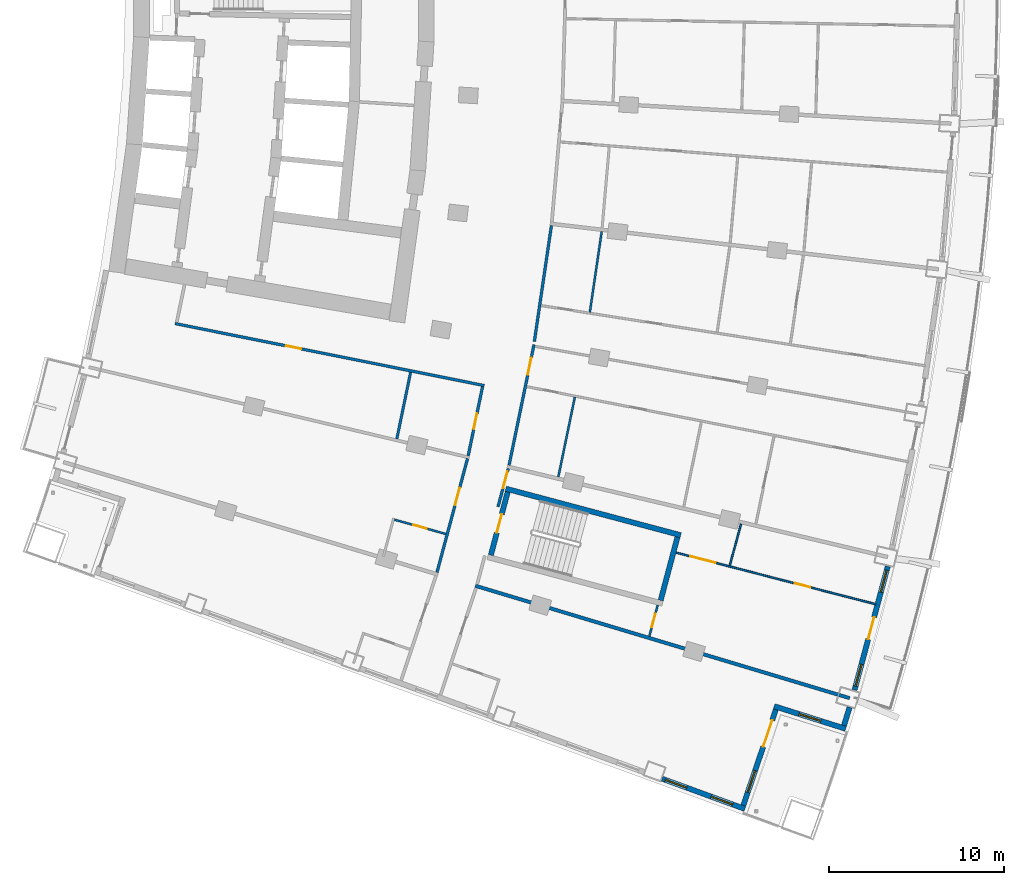
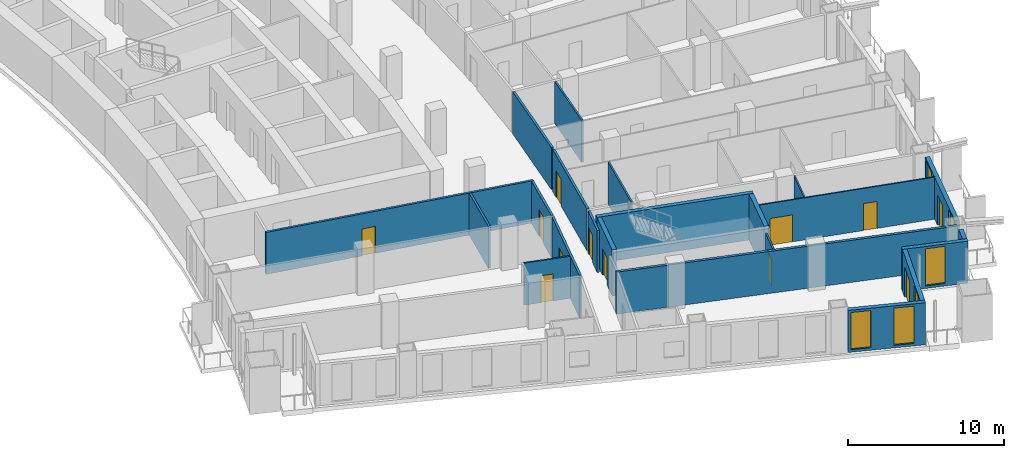
# One storey, part 14 of 25: 22 walls, 12 doors, 6 windows, 18 openings.
"""IFC4 building model written with IfcOpenShell, lengths in metres."""

from ifc_helpers import new_model, si_unit, direction, frame, frame_2d, origin, place, context, subcontext, project, spatial, rectangle, extrude, material, layer, layer_set, type_object, element, fill, save


model = new_model("IFC4")

# Units and contexts
model_context = context("Model", 3, precision=1e-05, world=origin(), true_north=direction((0.0, 1.0)))
body_context = subcontext(model_context, "Body", "Model", "MODEL_VIEW")
ifc_project = project(units=[si_unit("LENGTHUNIT", "METRE"), si_unit("AREAUNIT", "SQUARE_METRE"), si_unit("VOLUMEUNIT", "CUBIC_METRE"), si_unit("PLANEANGLEUNIT", "RADIAN"), si_unit("MASSUNIT", "GRAM", prefix="KILO")], contexts=[model_context])

# Site, building, storey
site_placement = place(None, origin())
site = spatial("IfcSite", under=ifc_project, at=site_placement, CompositionType="ELEMENT")
building_placement = place(site_placement, origin())
building = spatial("IfcBuilding", under=site, at=building_placement, Name="Alderwake Tower", CompositionType="ELEMENT")
storey_placement = place(building_placement, frame((0.0, 0.0, 35.60009765625)))
storey = spatial("IfcBuildingStorey", under=building, at=storey_placement, Name="L07", CompositionType="ELEMENT", Elevation=35.60009765625)

# Wall
ifc_material_1 = material(Name="Concrete C70/85", Category="concrete")
ifc_layer_1 = layer(ifc_material_1, 0.300048828125)
ifc_layer_set_1 = layer_set([ifc_layer_1], Name="Core wall stair enclosure 300 C70-85")
wall_type_1 = type_object("IfcWallType", Name="Core wall stair enclosure 300 C70-85", PredefinedType="SHEAR", material=ifc_layer_set_1)
wall_1_placement = place(storey_placement, frame((37.75390625, 31.731201171875, 0.0), z_axis=(0.0, 0.0, 1.0), x_axis=(0.966309214305, -0.257383958996, 0.0)))
element("IfcWall", 1, at=wall_1_placement, inside=storey, type_object=wall_type_1, Name="Core wall CW.086", PredefinedType="SHEAR", context=body_context, shape_type="SweptSolid", body=[
    extrude(rectangle(XDim=10.360107421875, YDim=0.300048828125, at=frame_2d((5.18017578125, 0.0))), origin(), (0.0, 0.0, 1.0), 3.599853515625),
])

# Wall, opening, door
wall_2_placement = place(storey_placement, frame((36.89501953125, 27.923828125, 0.0), z_axis=(0.0, 0.0, 1.0), x_axis=(0.257350630826, 0.966318090907, 0.0)))
wall_2 = element("IfcWall", 2, at=wall_2_placement, inside=storey, type_object=wall_type_1, Name="Core wall CW.087", PredefinedType="SHEAR", context=body_context, shape_type="SweptSolid", body=[
    extrude(rectangle(XDim=3.75, YDim=0.300048828125, at=frame_2d((1.875, 0.0))), origin(), (0.0, 0.0, 1.0), 3.599853515625),
])
opening_1_placement = place(wall_2_placement, frame((1.324951171875, 0.0, 0.0)))
opening_1 = element("IfcOpeningElement", 3, at=opening_1_placement, cuts=wall_2, Name="Opening C065", PredefinedType="OPENING", context=body_context, shape_type="SweptSolid", body=[
    extrude(rectangle(XDim=1.10009765625, YDim=2.10009765625, at=frame_2d((0.550048828125, 1.050048828125))), frame((0.0, 0.159912109375, 0.0), z_axis=(0.0, -1.0, 0.0), x_axis=(1.0, 0.0, 0.0)), (0.0, 0.0, 1.0), 0.320068359375),
])
ifc_material_2 = material(Name="Steel-framed fire door leaf", Category="steel")
door_type_1 = type_object("IfcDoorType", Name="Core stair door 1100 fire-rated", OperationType="SINGLE_SWING_LEFT", PredefinedType="DOOR", material=ifc_material_2)
door_1_placement = place(opening_1_placement, origin())
door_1 = element("IfcDoor", 4, at=door_1_placement, inside=storey, type_object=door_type_1, Name="Stair door", OperationType="SINGLE_SWING_LEFT", OverallHeight=2.10009765625, OverallWidth=1.10009765625, PredefinedType="DOOR", context=body_context, shape_type="SweptSolid", body=[
    extrude(rectangle(XDim=1.10009765625, YDim=2.10009765625, at=frame_2d((0.550048828125, 1.050048828125))), frame((0.0, 0.02490234375, 0.0), z_axis=(0.0, -1.0, 0.0), x_axis=(1.0, 0.0, 0.0)), (0.0, 0.0, 1.0), 0.050048828125),
])
fill(opening_1, door_1)

# Wall
wall_3_placement = place(storey_placement, frame((46.6162109375, 25.334716796875, 0.0), z_axis=(0.0, 0.0, 1.0), x_axis=(0.257366821694, 0.966313778796, 0.0)))
element("IfcWall", 5, at=wall_3_placement, inside=storey, type_object=wall_type_1, Name="Core wall CW.085", PredefinedType="SHEAR", context=body_context, shape_type="SweptSolid", body=[
    extrude(rectangle(XDim=3.749755859375, YDim=0.300048828125, at=frame_2d((1.875, 0.0))), origin(), (0.0, 0.0, 1.0), 3.599853515625),
])

# Wall, opening, door
ifc_material_3 = material(Name="Gypsum board on metal studs, rated")
ifc_layer_2 = layer(ifc_material_3, 0.159912109375)
ifc_layer_set_2 = layer_set([ifc_layer_2], Name="Corridor wall 160")
wall_type_2 = type_object("IfcWallType", Name="Corridor wall 160", PredefinedType="PARTITIONING", material=ifc_layer_set_2)
wall_4_placement = place(storey_placement, frame((36.513427734375, 37.63427734375, 0.0), z_axis=(0.0, 0.0, 1.0), x_axis=(-0.980470254867, 0.1966674333, 0.0)))
wall_4 = element("IfcWall", 6, at=wall_4_placement, inside=storey, type_object=wall_type_2, Name="WL/L07/W17", PredefinedType="PARTITIONING", context=body_context, shape_type="SweptSolid", body=[
    extrude(rectangle(XDim=18.053466796875, YDim=0.159912109375, at=frame_2d((9.02685546875, 0.0))), origin(), (0.0, 0.0, 1.0), 3.27978515625),
])
opening_2_placement = place(wall_4_placement, frame((10.6767578125, 0.0, 0.0)))
opening_2 = element("IfcOpeningElement", 7, at=opening_2_placement, cuts=wall_4, Name="Opening R01-SBS1", PredefinedType="OPENING", context=body_context, shape_type="SweptSolid", body=[
    extrude(rectangle(XDim=0.89990234375, YDim=2.10009765625, at=frame_2d((0.449951171875, 1.050048828125))), frame((0.0, 0.08984375, 0.0), z_axis=(0.0, -1.0, 0.0), x_axis=(1.0, 0.0, 0.0)), (0.0, 0.0, 1.0), 0.179931640625),
])
ifc_material_4 = material(Name="Painted timber leaf", Category="wood")
door_type_2 = type_object("IfcDoorType", Name="Room door 900", OperationType="SINGLE_SWING_LEFT", PredefinedType="DOOR", material=ifc_material_4)
door_2_placement = place(opening_2_placement, origin())
door_2 = element("IfcDoor", 8, at=door_2_placement, inside=storey, type_object=door_type_2, Name="DR/L07/SBS1", OperationType="SINGLE_SWING_LEFT", OverallHeight=2.10009765625, OverallWidth=0.89990234375, PredefinedType="DOOR", context=body_context, shape_type="SweptSolid", body=[
    extrude(rectangle(XDim=0.89990234375, YDim=2.10009765625, at=frame_2d((0.449951171875, 1.050048828125))), frame((0.0, 0.02490234375, 0.0), z_axis=(0.0, -1.0, 0.0), x_axis=(1.0, 0.0, 0.0)), (0.0, 0.0, 1.0), 0.050048828125),
])
fill(opening_2, door_2)

wall_5_placement = place(storey_placement, frame((33.808837890625, 26.9345703125, 0.0), z_axis=(0.0, 0.0, 1.0), x_axis=(0.259298911818, 0.965797118618, 0.0)))
wall_5 = element("IfcWall", 9, at=wall_5_placement, inside=storey, type_object=wall_type_2, Name="WL/L07/W24", PredefinedType="PARTITIONING", context=body_context, shape_type="SweptSolid", body=[
    extrude(rectangle(XDim=6.75, YDim=0.159912109375, at=frame_2d((3.375, 0.0))), origin(), (0.0, 0.0, 1.0), 3.27978515625),
])
opening_3_placement = place(wall_5_placement, frame((4.00341796875, 0.0, 0.0)))
opening_3 = element("IfcOpeningElement", 10, at=opening_3_placement, cuts=wall_5, Name="Opening R01-U11.1", PredefinedType="OPENING", context=body_context, shape_type="SweptSolid", body=[
    extrude(rectangle(XDim=1.0, YDim=2.10009765625, at=frame_2d((0.5, 1.050048828125))), frame((0.0, 0.08984375, 0.0), z_axis=(0.0, -1.0, 0.0), x_axis=(1.0, 0.0, 0.0)), (0.0, 0.0, 1.0), 0.179931640625),
])
ifc_material_5 = material(Name="Solid timber leaf in steel frame", Category="steel")
door_type_3 = type_object("IfcDoorType", Name="Flat entrance door 1000 fire-rated", OperationType="SINGLE_SWING_LEFT", PredefinedType="DOOR", material=ifc_material_5)
door_3_placement = place(opening_3_placement, origin())
door_3 = element("IfcDoor", 11, at=door_3_placement, inside=storey, type_object=door_type_3, Name="DR/L07/U11.1", OperationType="SINGLE_SWING_LEFT", OverallHeight=2.10009765625, OverallWidth=1.0, PredefinedType="DOOR", context=body_context, shape_type="SweptSolid", body=[
    extrude(rectangle(XDim=1.0, YDim=2.10009765625, at=frame_2d((0.5, 1.050048828125))), frame((0.0, 0.02490234375, 0.0), z_axis=(0.0, -1.0, 0.0), x_axis=(1.0, 0.0, 0.0)), (0.0, 0.0, 1.0), 0.050048828125),
])
fill(opening_3, door_3)

wall_6_placement = place(storey_placement, frame((35.59619140625, 33.609375, 0.0), z_axis=(0.0, 0.0, 1.0), x_axis=(0.203245920818, 0.979127721838, 0.0)))
wall_6 = element("IfcWall", 12, at=wall_6_placement, inside=storey, type_object=wall_type_2, Name="WL/L07/W29", PredefinedType="PARTITIONING", context=body_context, shape_type="SweptSolid", body=[
    extrude(rectangle(XDim=4.046875, YDim=0.159912109375, at=frame_2d((2.0234375, 0.0))), origin(), (0.0, 0.0, 1.0), 3.27978515625),
])
opening_4_placement = place(wall_6_placement, frame((1.573486328125, 0.0, 0.0)))
opening_4 = element("IfcOpeningElement", 13, at=opening_4_placement, cuts=wall_6, Name="Opening R01-SBS2", PredefinedType="OPENING", context=body_context, shape_type="SweptSolid", body=[
    extrude(rectangle(XDim=0.89990234375, YDim=2.10009765625, at=frame_2d((0.449951171875, 1.050048828125))), frame((0.0, 0.08984375, 0.0), z_axis=(0.0, -1.0, 0.0), x_axis=(1.0, 0.0, 0.0)), (0.0, 0.0, 1.0), 0.179931640625),
])
door_4_placement = place(opening_4_placement, origin())
door_4 = element("IfcDoor", 14, at=door_4_placement, inside=storey, type_object=door_type_2, Name="DR/L07/SBS2", OperationType="SINGLE_SWING_LEFT", OverallHeight=2.10009765625, OverallWidth=0.89990234375, PredefinedType="DOOR", context=body_context, shape_type="SweptSolid", body=[
    extrude(rectangle(XDim=0.89990234375, YDim=2.10009765625, at=frame_2d((0.449951171875, 1.050048828125))), frame((0.0, 0.02490234375, 0.0), z_axis=(0.0, -1.0, 0.0), x_axis=(1.0, 0.0, 0.0)), (0.0, 0.0, 1.0), 0.050048828125),
])
fill(opening_4, door_4)

wall_7_placement = place(storey_placement, frame((37.89111328125, 32.87939453125, 0.0), z_axis=(0.0, 0.0, 1.0), x_axis=(-0.259620578816, -0.965710699462, 0.0)))
wall_7 = element("IfcWall", 15, at=wall_7_placement, inside=storey, type_object=wall_type_2, Name="WL/L07/W32", PredefinedType="PARTITIONING", context=body_context, shape_type="SweptSolid", body=[
    extrude(rectangle(XDim=2.2578125, YDim=0.159912109375, at=frame_2d((1.12890625, 0.0))), origin(), (0.0, 0.0, 1.0), 3.27978515625),
])
opening_5_placement = place(wall_7_placement, frame((0.1708984375, 0.0, 0.0)))
opening_5 = element("IfcOpeningElement", 16, at=opening_5_placement, cuts=wall_7, Name="Opening R01-U01.1", PredefinedType="OPENING", context=body_context, shape_type="SweptSolid", body=[
    extrude(rectangle(XDim=1.0, YDim=2.10009765625, at=frame_2d((0.5, 1.050048828125))), frame((0.0, 0.08984375, 0.0), z_axis=(0.0, -1.0, 0.0), x_axis=(1.0, 0.0, 0.0)), (0.0, 0.0, 1.0), 0.179931640625),
])
door_5_placement = place(opening_5_placement, origin())
door_5 = element("IfcDoor", 17, at=door_5_placement, inside=storey, type_object=door_type_3, Name="DR/L07/U01.1", OperationType="SINGLE_SWING_LEFT", OverallHeight=2.10009765625, OverallWidth=1.0, PredefinedType="DOOR", context=body_context, shape_type="SweptSolid", body=[
    extrude(rectangle(XDim=1.0, YDim=2.10009765625, at=frame_2d((0.5, 1.050048828125))), frame((0.0, 0.02490234375, 0.0), z_axis=(0.0, -1.0, 0.0), x_axis=(1.0, 0.0, 0.0)), (0.0, 0.0, 1.0), 0.050048828125),
])
fill(opening_5, door_5)

wall_8_placement = place(storey_placement, frame((39.3642578125, 39.975341796875, 0.0), z_axis=(0.0, 0.0, 1.0), x_axis=(-0.202487611378, -0.979284824368, 0.0)))
wall_8 = element("IfcWall", 18, at=wall_8_placement, inside=storey, type_object=wall_type_2, Name="WL/L07/W33", PredefinedType="PARTITIONING", context=body_context, shape_type="SweptSolid", body=[
    extrude(rectangle(XDim=7.04736328125, YDim=0.159912109375, at=frame_2d((3.523681640625, 0.0))), origin(), (0.0, 0.0, 1.0), 3.27978515625),
])
opening_6_placement = place(wall_8_placement, frame((0.7568359375, 0.0, 0.0)))
opening_6 = element("IfcOpeningElement", 19, at=opening_6_placement, cuts=wall_8, Name="Opening R01-U05.3", PredefinedType="OPENING", context=body_context, shape_type="SweptSolid", body=[
    extrude(rectangle(XDim=1.0, YDim=2.10009765625, at=frame_2d((0.5, 1.050048828125))), frame((0.0, 0.08984375, 0.0), z_axis=(0.0, -1.0, 0.0), x_axis=(1.0, 0.0, 0.0)), (0.0, 0.0, 1.0), 0.179931640625),
])
door_6_placement = place(opening_6_placement, origin())
door_6 = element("IfcDoor", 20, at=door_6_placement, inside=storey, type_object=door_type_3, Name="DR/L07/U05.3", OperationType="SINGLE_SWING_LEFT", OverallHeight=2.10009765625, OverallWidth=1.0, PredefinedType="DOOR", context=body_context, shape_type="SweptSolid", body=[
    extrude(rectangle(XDim=1.0, YDim=2.10009765625, at=frame_2d((0.5, 1.050048828125))), frame((0.0, 0.02490234375, 0.0), z_axis=(0.0, -1.0, 0.0), x_axis=(1.0, 0.0, 0.0)), (0.0, 0.0, 1.0), 0.050048828125),
])
fill(opening_6, door_6)

# Walls
wall_9_placement = place(storey_placement, frame((39.38671875, 40.160888671875, 0.0), z_axis=(0.0, 0.0, 1.0), x_axis=(0.145513909196, 0.989356205939, 0.0)))
element("IfcWall", 21, at=wall_9_placement, inside=storey, type_object=wall_type_2, Name="WL/L07/W36", PredefinedType="PARTITIONING", context=body_context, shape_type="SweptSolid", body=[
    extrude(rectangle(XDim=6.704345703125, YDim=0.159912109375, at=frame_2d((3.35205078125, 0.0))), origin(), (0.0, 0.0, 1.0), 3.27978515625),
])
ifc_material_6 = material(Name="Precast concrete C50/60 spandrel panel", Category="concrete")
ifc_layer_3 = layer(ifc_material_6, 0.300048828125)
ifc_layer_set_3 = layer_set([ifc_layer_3], Name="External wall EW1 Precast concrete C50/60 spandrel")
wall_type_3 = type_object("IfcWallType", Name="External wall EW1 Precast concrete C50/60 spandrel", PredefinedType="SOLIDWALL", material=ifc_layer_set_3)
wall_10_placement = place(storey_placement, frame((57.11328125, 18.16943359375, 0.0), z_axis=(0.0, 0.0, 1.0), x_axis=(0.294684640149, 0.955594559874, 0.0)))
element("IfcWall", 22, at=wall_10_placement, inside=storey, type_object=wall_type_3, Name="External wall 11", PredefinedType="SOLIDWALL", context=body_context, shape_type="SweptSolid", body=[
    extrude(rectangle(XDim=1.088623046875, YDim=0.300048828125, at=frame_2d((0.54443359375, 0.0))), origin(), (0.0, 0.0, 1.0), 3.27978515625),
])

# Wall, openings, door, windows
wall_11_placement = place(storey_placement, frame((57.71923828125, 20.2001953125, 0.0), z_axis=(0.0, 0.0, 1.0), x_axis=(0.259490825488, 0.965745572854, 0.0)))
wall_11 = element("IfcWall", 23, at=wall_11_placement, inside=storey, type_object=wall_type_3, Name="External wall 12", PredefinedType="SOLIDWALL", context=body_context, shape_type="SweptSolid", body=[
    extrude(rectangle(XDim=7.3291015625, YDim=0.300048828125, at=frame_2d((3.66455078125, 0.0))), origin(), (0.0, 0.0, 1.0), 3.27978515625),
])
opening_7_placement = place(wall_11_placement, frame((0.226806640625, 0.0, 0.199951171875)))
opening_7 = element("IfcOpeningElement", 24, at=opening_7_placement, cuts=wall_11, Name="Opening W1", PredefinedType="OPENING", context=body_context, shape_type="SweptSolid", body=[
    extrude(rectangle(XDim=1.300048828125, YDim=2.89990234375, at=frame_2d((0.64990234375, 1.449951171875))), frame((0.0, 0.159912109375, 0.0), z_axis=(0.0, -1.0, 0.0), x_axis=(1.0, 0.0, 0.0)), (0.0, 0.0, 1.0), 0.320068359375),
])
opening_8_placement = place(wall_11_placement, frame((3.0146484375, 0.0, 0.0)))
opening_8 = element("IfcOpeningElement", 25, at=opening_8_placement, cuts=wall_11, Name="Opening D03", PredefinedType="OPENING", context=body_context, shape_type="SweptSolid", body=[
    extrude(rectangle(XDim=1.300048828125, YDim=2.39990234375, at=frame_2d((0.64990234375, 1.199951171875))), frame((0.0, 0.159912109375, 0.0), z_axis=(0.0, -1.0, 0.0), x_axis=(1.0, 0.0, 0.0)), (0.0, 0.0, 1.0), 0.320068359375),
])
opening_9_placement = place(wall_11_placement, frame((5.802490234375, 0.0, 0.199951171875)))
opening_9 = element("IfcOpeningElement", 26, at=opening_9_placement, cuts=wall_11, Name="Opening W1", PredefinedType="OPENING", context=body_context, shape_type="SweptSolid", body=[
    extrude(rectangle(XDim=1.300048828125, YDim=2.89990234375, at=frame_2d((0.64990234375, 1.449951171875))), frame((0.0, 0.159912109375, 0.0), z_axis=(0.0, -1.0, 0.0), x_axis=(1.0, 0.0, 0.0)), (0.0, 0.0, 1.0), 0.320068359375),
])
ifc_material_7 = material(Name="Bronze tinted glass in aluminium frame", Category="aluminium")
door_type_4 = type_object("IfcDoorType", Name="Balcony door BD sliding", OperationType="SLIDING_TO_LEFT", PredefinedType="DOOR", material=ifc_material_7)
door_7_placement = place(opening_8_placement, origin())
door_7 = element("IfcDoor", 27, at=door_7_placement, inside=storey, type_object=door_type_4, Name="Door D03", OperationType="SLIDING_TO_LEFT", OverallHeight=2.39990234375, OverallWidth=1.300048828125, PredefinedType="DOOR", context=body_context, shape_type="SweptSolid", body=[
    extrude(rectangle(XDim=1.300048828125, YDim=2.39990234375, at=frame_2d((0.64990234375, 1.199951171875))), frame((0.0, 0.02490234375, 0.0), z_axis=(0.0, -1.0, 0.0), x_axis=(1.0, 0.0, 0.0)), (0.0, 0.0, 1.0), 0.050048828125),
])
fill(opening_8, door_7)
ifc_material_8 = material(Name="Bronze tinted glass in aluminium frame", Category="aluminium")
window_type = type_object("IfcWindowType", Name="Window W1 tall fixed and vent", PartitioningType="DOUBLE_PANEL_VERTICAL", PredefinedType="WINDOW", material=ifc_material_8)
window_1_placement = place(opening_7_placement, origin())
window_1 = element("IfcWindow", 28, at=window_1_placement, inside=storey, type_object=window_type, Name="Window W1 tall fixed and vent", OverallHeight=2.89990234375, OverallWidth=1.300048828125, PartitioningType="DOUBLE_PANEL_VERTICAL", PredefinedType="WINDOW", context=body_context, shape_type="SweptSolid", body=[
    extrude(rectangle(XDim=1.300048828125, YDim=2.89990234375, at=frame_2d((0.64990234375, 1.449951171875))), frame((0.0, 0.030029296875, 0.0), z_axis=(0.0, -1.0, 0.0), x_axis=(1.0, 0.0, 0.0)), (0.0, 0.0, 1.0), 0.06005859375),
])
fill(opening_7, window_1)
window_2_placement = place(opening_9_placement, origin())
window_2 = element("IfcWindow", 29, at=window_2_placement, inside=storey, type_object=window_type, Name="Window W1 tall fixed and vent", OverallHeight=2.89990234375, OverallWidth=1.300048828125, PartitioningType="DOUBLE_PANEL_VERTICAL", PredefinedType="WINDOW", context=body_context, shape_type="SweptSolid", body=[
    extrude(rectangle(XDim=1.300048828125, YDim=2.89990234375, at=frame_2d((0.64990234375, 1.449951171875))), frame((0.0, 0.030029296875, 0.0), z_axis=(0.0, -1.0, 0.0), x_axis=(1.0, 0.0, 0.0)), (0.0, 0.0, 1.0), 0.06005859375),
])
fill(opening_9, window_2)

# Wall, openings, windows
ifc_material_9 = material(Name="Bronze metal cladding on lightweight framing")
ifc_layer_4 = layer(ifc_material_9, 0.300048828125)
ifc_layer_set_4 = layer_set([ifc_layer_4], Name="External wall EW2 bronze metal cladding")
wall_type_4 = type_object("IfcWallType", Name="External wall EW2 bronze metal cladding", PredefinedType="SOLIDWALL", material=ifc_layer_set_4)
wall_12_placement = place(storey_placement, frame((46.701171875, 15.123046875, 0.0), z_axis=(0.0, 0.0, 1.0), x_axis=(0.939373152763, -0.342896602299, 0.0)))
wall_12 = element("IfcWall", 30, at=wall_12_placement, inside=storey, type_object=wall_type_4, Name="External wall 8", PredefinedType="SOLIDWALL", context=body_context, shape_type="SweptSolid", body=[
    extrude(rectangle(XDim=5.0458984375, YDim=0.300048828125, at=frame_2d((2.52294921875, 0.0))), origin(), (0.0, 0.0, 1.0), 3.27978515625),
])
opening_10_placement = place(wall_12_placement, frame((0.197509765625, 0.0, 0.199951171875)))
opening_10 = element("IfcOpeningElement", 31, at=opening_10_placement, cuts=wall_12, Name="Opening W1", PredefinedType="OPENING", context=body_context, shape_type="SweptSolid", body=[
    extrude(rectangle(XDim=1.300048828125, YDim=2.89990234375, at=frame_2d((0.64990234375, 1.449951171875))), frame((0.0, 0.159912109375, 0.0), z_axis=(0.0, -1.0, 0.0), x_axis=(1.0, 0.0, 0.0)), (0.0, 0.0, 1.0), 0.320068359375),
])
opening_11_placement = place(wall_12_placement, frame((2.99658203125, 0.0, 0.199951171875)))
opening_11 = element("IfcOpeningElement", 32, at=opening_11_placement, cuts=wall_12, Name="Opening W1", PredefinedType="OPENING", context=body_context, shape_type="SweptSolid", body=[
    extrude(rectangle(XDim=1.300048828125, YDim=2.89990234375, at=frame_2d((0.64990234375, 1.449951171875))), frame((0.0, 0.159912109375, 0.0), z_axis=(0.0, -1.0, 0.0), x_axis=(1.0, 0.0, 0.0)), (0.0, 0.0, 1.0), 0.320068359375),
])
window_3_placement = place(opening_10_placement, origin())
window_3 = element("IfcWindow", 33, at=window_3_placement, inside=storey, type_object=window_type, Name="Window W1 tall fixed and vent", OverallHeight=2.89990234375, OverallWidth=1.300048828125, PartitioningType="DOUBLE_PANEL_VERTICAL", PredefinedType="WINDOW", context=body_context, shape_type="SweptSolid", body=[
    extrude(rectangle(XDim=1.300048828125, YDim=2.89990234375, at=frame_2d((0.64990234375, 1.449951171875))), frame((0.0, 0.030029296875, 0.0), z_axis=(0.0, -1.0, 0.0), x_axis=(1.0, 0.0, 0.0)), (0.0, 0.0, 1.0), 0.06005859375),
])
fill(opening_10, window_3)
window_4_placement = place(opening_11_placement, origin())
window_4 = element("IfcWindow", 34, at=window_4_placement, inside=storey, type_object=window_type, Name="Window W1 tall fixed and vent", OverallHeight=2.89990234375, OverallWidth=1.300048828125, PartitioningType="DOUBLE_PANEL_VERTICAL", PredefinedType="WINDOW", context=body_context, shape_type="SweptSolid", body=[
    extrude(rectangle(XDim=1.300048828125, YDim=2.89990234375, at=frame_2d((0.64990234375, 1.449951171875))), frame((0.0, 0.030029296875, 0.0), z_axis=(0.0, -1.0, 0.0), x_axis=(1.0, 0.0, 0.0)), (0.0, 0.0, 1.0), 0.06005859375),
])
fill(opening_11, window_4)

# Wall, openings, door, window
wall_13_placement = place(storey_placement, frame((51.348388671875, 13.586181640625, 0.0), z_axis=(0.0, 0.0, 1.0), x_axis=(0.320901281383, 0.947112647791, 0.0)))
wall_13 = element("IfcWall", 35, at=wall_13_placement, inside=storey, type_object=wall_type_4, Name="External wall 9", PredefinedType="SOLIDWALL", context=body_context, shape_type="SweptSolid", body=[
    extrude(rectangle(XDim=5.809326171875, YDim=0.300048828125, at=frame_2d((2.90478515625, 0.0))), origin(), (0.0, 0.0, 1.0), 3.27978515625),
])
opening_12_placement = place(wall_13_placement, frame((0.80224609375, 0.0, 0.199951171875)))
opening_12 = element("IfcOpeningElement", 36, at=opening_12_placement, cuts=wall_13, Name="Opening W1", PredefinedType="OPENING", context=body_context, shape_type="SweptSolid", body=[
    extrude(rectangle(XDim=1.300048828125, YDim=2.89990234375, at=frame_2d((0.64990234375, 1.449951171875))), frame((0.0, 0.159912109375, 0.0), z_axis=(0.0, -1.0, 0.0), x_axis=(1.0, 0.0, 0.0)), (0.0, 0.0, 1.0), 0.320068359375),
])
opening_13_placement = place(wall_13_placement, frame((3.556884765625, 0.0, 0.0)))
opening_13 = element("IfcOpeningElement", 37, at=opening_13_placement, cuts=wall_13, Name="Opening D02", PredefinedType="OPENING", context=body_context, shape_type="SweptSolid", body=[
    extrude(rectangle(XDim=1.60009765625, YDim=2.39990234375, at=frame_2d((0.800048828125, 1.199951171875))), frame((0.0, 0.159912109375, 0.0), z_axis=(0.0, -1.0, 0.0), x_axis=(1.0, 0.0, 0.0)), (0.0, 0.0, 1.0), 0.320068359375),
])
ifc_material_10 = material(Name="Bronze tinted glass in aluminium frame", Category="aluminium")
door_type_5 = type_object("IfcDoorType", Name="Terrace door TD sliding", OperationType="SLIDING_TO_LEFT", PredefinedType="DOOR", material=ifc_material_10)
door_8_placement = place(opening_13_placement, origin())
door_8 = element("IfcDoor", 38, at=door_8_placement, inside=storey, type_object=door_type_5, Name="Door D02", OperationType="SLIDING_TO_LEFT", OverallHeight=2.39990234375, OverallWidth=1.60009765625, PredefinedType="DOOR", context=body_context, shape_type="SweptSolid", body=[
    extrude(rectangle(XDim=1.60009765625, YDim=2.39990234375, at=frame_2d((0.800048828125, 1.199951171875))), frame((0.0, 0.02490234375, 0.0), z_axis=(0.0, -1.0, 0.0), x_axis=(1.0, 0.0, 0.0)), (0.0, 0.0, 1.0), 0.050048828125),
])
fill(opening_13, door_8)
window_5_placement = place(opening_12_placement, origin())
window_5 = element("IfcWindow", 39, at=window_5_placement, inside=storey, type_object=window_type, Name="Window W1 tall fixed and vent", OverallHeight=2.89990234375, OverallWidth=1.300048828125, PartitioningType="DOUBLE_PANEL_VERTICAL", PredefinedType="WINDOW", context=body_context, shape_type="SweptSolid", body=[
    extrude(rectangle(XDim=1.300048828125, YDim=2.89990234375, at=frame_2d((0.64990234375, 1.449951171875))), frame((0.0, 0.030029296875, 0.0), z_axis=(0.0, -1.0, 0.0), x_axis=(1.0, 0.0, 0.0)), (0.0, 0.0, 1.0), 0.06005859375),
])
fill(opening_12, window_5)

# Wall, opening, window
wall_14_placement = place(storey_placement, frame((53.11767578125, 19.275634765625, 0.0), z_axis=(0.0, 0.0, 1.0), x_axis=(0.953470039543, -0.301487783656, 0.0)))
wall_14 = element("IfcWall", 40, at=wall_14_placement, inside=storey, type_object=wall_type_4, Name="External wall 10", PredefinedType="SOLIDWALL", context=body_context, shape_type="SweptSolid", body=[
    extrude(rectangle(XDim=4.294189453125, YDim=0.300048828125, at=frame_2d((2.14697265625, 0.0))), origin(), (0.0, 0.0, 1.0), 3.27978515625),
])
opening_14_placement = place(wall_14_placement, frame((1.4970703125, 0.0, 0.199951171875)))
opening_14 = element("IfcOpeningElement", 41, at=opening_14_placement, cuts=wall_14, Name="Opening W1", PredefinedType="OPENING", context=body_context, shape_type="SweptSolid", body=[
    extrude(rectangle(XDim=1.300048828125, YDim=2.89990234375, at=frame_2d((0.64990234375, 1.449951171875))), frame((0.0, 0.159912109375, 0.0), z_axis=(0.0, -1.0, 0.0), x_axis=(1.0, 0.0, 0.0)), (0.0, 0.0, 1.0), 0.320068359375),
])
window_6_placement = place(opening_14_placement, origin())
window_6 = element("IfcWindow", 42, at=window_6_placement, inside=storey, type_object=window_type, Name="Window W1 tall fixed and vent", OverallHeight=2.89990234375, OverallWidth=1.300048828125, PartitioningType="DOUBLE_PANEL_VERTICAL", PredefinedType="WINDOW", context=body_context, shape_type="SweptSolid", body=[
    extrude(rectangle(XDim=1.300048828125, YDim=2.89990234375, at=frame_2d((0.64990234375, 1.449951171875))), frame((0.0, 0.030029296875, 0.0), z_axis=(0.0, -1.0, 0.0), x_axis=(1.0, 0.0, 0.0)), (0.0, 0.0, 1.0), 0.06005859375),
])
fill(opening_14, window_6)

# Walls
ifc_material_11 = material(Name="Dense block masonry wall", Category="masonry")
ifc_layer_5 = layer(ifc_material_11, 0.199951171875)
ifc_layer_set_5 = layer_set([ifc_layer_5], Name="Party wall 200")
wall_type_5 = type_object("IfcWallType", Name="Party wall 200", PredefinedType="SOLIDWALL", material=ifc_layer_set_5)
wall_15_placement = place(storey_placement, frame((36.00439453125, 26.1708984375, 0.0), z_axis=(0.0, 0.0, 1.0), x_axis=(0.957780031915, -0.287502018191, 0.0)))
element("IfcWall", 43, at=wall_15_placement, inside=storey, type_object=wall_type_5, Name="WL/L07/W05", PredefinedType="SOLIDWALL", context=body_context, shape_type="SweptSolid", body=[
    extrude(rectangle(XDim=22.37841796875, YDim=0.199951171875, at=frame_2d((11.189208984375, 0.0))), origin(), (0.0, 0.0, 1.0), 3.27978515625),
])
ifc_material_12 = material(Name="Gypsum shaft wall system, rated")
ifc_layer_6 = layer(ifc_material_12, 0.14990234375)
ifc_layer_set_6 = layer_set([ifc_layer_6], Name="Riser and shaft wall 150")
wall_type_6 = type_object("IfcWallType", Name="Riser and shaft wall 150", PredefinedType="PARTITIONING", material=ifc_layer_set_6)
wall_16_placement = place(storey_placement, frame((31.51025390625, 34.581298828125, 0.0), z_axis=(0.0, 0.0, 1.0), x_axis=(0.202642899892, 0.979252702383, 0.0)))
element("IfcWall", 44, at=wall_16_placement, inside=storey, type_object=wall_type_6, Name="WL/L07/W12", PredefinedType="PARTITIONING", context=body_context, shape_type="SweptSolid", body=[
    extrude(rectangle(XDim=3.896240234375, YDim=0.14990234375, at=frame_2d((1.9482421875, 0.0))), origin(), (0.0, 0.0, 1.0), 3.27978515625),
])

# Wall, openings, doors
ifc_material_13 = material(Name="Gypsum board on metal studs")
ifc_layer_7 = layer(ifc_material_13, 0.10009765625)
ifc_layer_set_7 = layer_set([ifc_layer_7], Name="Unit partition 100")
wall_type_7 = type_object("IfcWallType", Name="Unit partition 100", PredefinedType="PARTITIONING", material=ifc_layer_set_7)
wall_17_placement = place(storey_placement, frame((58.93798828125, 25.113037109375, 0.0), z_axis=(0.0, 0.0, 1.0), x_axis=(-0.968214069453, 0.250123001167, 0.0)))
wall_17 = element("IfcWall", 45, at=wall_17_placement, inside=storey, type_object=wall_type_7, Name="WL/L07/W74", PredefinedType="PARTITIONING", context=body_context, shape_type="SweptSolid", body=[
    extrude(rectangle(XDim=11.814453125, YDim=0.10009765625, at=frame_2d((5.9072265625, 0.0))), origin(), (0.0, 0.0, 1.0), 3.27978515625),
])
opening_15_placement = place(wall_17_placement, frame((9.482421875, 0.0, 0.0)))
opening_15 = element("IfcOpeningElement", 46, at=opening_15_placement, cuts=wall_17, Name="Opening R01-U01.2", PredefinedType="OPENING", context=body_context, shape_type="SweptSolid", body=[
    extrude(rectangle(XDim=1.5, YDim=2.10009765625, at=frame_2d((0.75, 1.050048828125))), frame((0.0, 0.06005859375, 0.0), z_axis=(0.0, -1.0, 0.0), x_axis=(1.0, 0.0, 0.0)), (0.0, 0.0, 1.0), 0.1201171875),
])
opening_16_placement = place(wall_17_placement, frame((3.876220703125, 0.0, 0.0)))
opening_16 = element("IfcOpeningElement", 47, at=opening_16_placement, cuts=wall_17, Name="Opening R01-U01.3", PredefinedType="OPENING", context=body_context, shape_type="SweptSolid", body=[
    extrude(rectangle(XDim=0.89990234375, YDim=2.10009765625, at=frame_2d((0.449951171875, 1.050048828125))), frame((0.0, 0.06005859375, 0.0), z_axis=(0.0, -1.0, 0.0), x_axis=(1.0, 0.0, 0.0)), (0.0, 0.0, 1.0), 0.1201171875),
])
ifc_material_14 = material(Name="Painted timber leaves", Category="wood")
door_type_6 = type_object("IfcDoorType", Name="Double leaf door 1500", OperationType="DOUBLE_DOOR_SINGLE_SWING", PredefinedType="DOOR", material=ifc_material_14)
door_9_placement = place(opening_15_placement, origin())
door_9 = element("IfcDoor", 48, at=door_9_placement, inside=storey, type_object=door_type_6, Name="DR/L07/U01.2", OperationType="DOUBLE_DOOR_SINGLE_SWING", OverallHeight=2.10009765625, OverallWidth=1.5, PredefinedType="DOOR", context=body_context, shape_type="SweptSolid", body=[
    extrude(rectangle(XDim=1.5, YDim=2.10009765625, at=frame_2d((0.75, 1.050048828125))), frame((0.0, 0.02490234375, 0.0), z_axis=(0.0, -1.0, 0.0), x_axis=(1.0, 0.0, 0.0)), (0.0, 0.0, 1.0), 0.050048828125),
])
fill(opening_15, door_9)
door_10_placement = place(opening_16_placement, origin())
door_10 = element("IfcDoor", 49, at=door_10_placement, inside=storey, type_object=door_type_2, Name="DR/L07/U01.3", OperationType="SINGLE_SWING_LEFT", OverallHeight=2.10009765625, OverallWidth=0.89990234375, PredefinedType="DOOR", context=body_context, shape_type="SweptSolid", body=[
    extrude(rectangle(XDim=0.89990234375, YDim=2.10009765625, at=frame_2d((0.449951171875, 1.050048828125))), frame((0.0, 0.02490234375, 0.0), z_axis=(0.0, -1.0, 0.0), x_axis=(1.0, 0.0, 0.0)), (0.0, 0.0, 1.0), 0.050048828125),
])
fill(opening_16, door_10)

# Wall
wall_18_placement = place(storey_placement, frame((50.574951171875, 27.32421875, 0.0), z_axis=(0.0, 0.0, 1.0), x_axis=(0.259739710308, 0.965678664406, 0.0)))
element("IfcWall", 50, at=wall_18_placement, inside=storey, type_object=wall_type_7, Name="WL/L07/W79", PredefinedType="PARTITIONING", context=body_context, shape_type="SweptSolid", body=[
    extrude(rectangle(XDim=2.47216796875, YDim=0.10009765625, at=frame_2d((1.236083984375, 0.0))), origin(), (0.0, 0.0, 1.0), 3.27978515625),
])

# Wall, opening, door
ifc_material_15 = material(Name="Moisture resistant gypsum board on metal studs")
ifc_layer_8 = layer(ifc_material_15, 0.1201171875)
ifc_layer_set_8 = layer_set([ifc_layer_8], Name="Wet room partition 120")
wall_type_8 = type_object("IfcWallType", Name="Wet room partition 120", PredefinedType="PARTITIONING", material=ifc_layer_set_8)
wall_19_placement = place(storey_placement, frame((34.31787109375, 29.136474609375, 0.0), z_axis=(0.0, 0.0, 1.0), x_axis=(-0.963351881246, 0.268240848677, 0.0)))
wall_19 = element("IfcWall", 51, at=wall_19_placement, inside=storey, type_object=wall_type_8, Name="WL/L07/W51", PredefinedType="PARTITIONING", context=body_context, shape_type="SweptSolid", body=[
    extrude(rectangle(XDim=3.05810546875, YDim=0.1201171875, at=frame_2d((1.529052734375, 0.0))), origin(), (0.0, 0.0, 1.0), 3.27978515625),
])
opening_17_placement = place(wall_19_placement, frame((1.129150390625, 0.0, 0.0)))
opening_17 = element("IfcOpeningElement", 52, at=opening_17_placement, cuts=wall_19, Name="Opening R01-U11.2", PredefinedType="OPENING", context=body_context, shape_type="SweptSolid", body=[
    extrude(rectangle(XDim=0.800048828125, YDim=2.10009765625, at=frame_2d((0.39990234375, 1.050048828125))), frame((0.0, 0.070068359375, 0.0), z_axis=(0.0, -1.0, 0.0), x_axis=(1.0, 0.0, 0.0)), (0.0, 0.0, 1.0), 0.14013671875),
])
ifc_material_16 = material(Name="Painted timber leaf", Category="wood")
door_type_7 = type_object("IfcDoorType", Name="Bathroom door 800", OperationType="SINGLE_SWING_LEFT", PredefinedType="DOOR", material=ifc_material_16)
door_11_placement = place(opening_17_placement, origin())
door_11 = element("IfcDoor", 53, at=door_11_placement, inside=storey, type_object=door_type_7, Name="DR/L07/U11.2", OperationType="SINGLE_SWING_LEFT", OverallHeight=2.10009765625, OverallWidth=0.800048828125, PredefinedType="DOOR", context=body_context, shape_type="SweptSolid", body=[
    extrude(rectangle(XDim=0.800048828125, YDim=2.10009765625, at=frame_2d((0.39990234375, 1.050048828125))), frame((0.0, 0.02490234375, 0.0), z_axis=(0.0, -1.0, 0.0), x_axis=(1.0, 0.0, 0.0)), (0.0, 0.0, 1.0), 0.050048828125),
])
fill(opening_17, door_11)

# Walls
wall_20_placement = place(storey_placement, frame((40.75732421875, 32.402099609375, 0.0), z_axis=(0.0, 0.0, 1.0), x_axis=(0.202555554597, 0.97927077323, 0.0)))
element("IfcWall", 54, at=wall_20_placement, inside=storey, type_object=wall_type_8, Name="WL/L07/W56", PredefinedType="PARTITIONING", context=body_context, shape_type="SweptSolid", body=[
    extrude(rectangle(XDim=4.677734375, YDim=0.1201171875, at=frame_2d((2.3388671875, 0.0))), origin(), (0.0, 0.0, 1.0), 3.27978515625),
])
wall_21_placement = place(storey_placement, frame((42.562255859375, 41.83056640625, 0.0), z_axis=(0.0, 0.0, 1.0), x_axis=(0.145515042, 0.989356039326, 0.0)))
element("IfcWall", 55, at=wall_21_placement, inside=storey, type_object=wall_type_8, Name="WL/L07/W57", PredefinedType="PARTITIONING", context=body_context, shape_type="SweptSolid", body=[
    extrude(rectangle(XDim=4.67431640625, YDim=0.1201171875, at=frame_2d((2.337158203125, 0.0))), origin(), (0.0, 0.0, 1.0), 3.27978515625),
])

# Wall, opening, door
wall_22_placement = place(storey_placement, frame((45.970947265625, 23.28369140625, 0.0), z_axis=(0.0, 0.0, 1.0), x_axis=(0.258764710752, 0.965940383497, 0.0)))
wall_22 = element("IfcWall", 56, at=wall_22_placement, inside=storey, type_object=wall_type_8, Name="WL/L07/W64", PredefinedType="PARTITIONING", context=body_context, shape_type="SweptSolid", body=[
    extrude(rectangle(XDim=1.847412109375, YDim=0.1201171875, at=frame_2d((0.923828125, 0.0))), origin(), (0.0, 0.0, 1.0), 3.27978515625),
])
opening_18_placement = place(wall_22_placement, frame((0.523681640625, 0.0, 0.0)))
opening_18 = element("IfcOpeningElement", 57, at=opening_18_placement, cuts=wall_22, Name="Opening R01-U01.4", PredefinedType="OPENING", context=body_context, shape_type="SweptSolid", body=[
    extrude(rectangle(XDim=0.800048828125, YDim=2.10009765625, at=frame_2d((0.39990234375, 1.050048828125))), frame((0.0, 0.070068359375, 0.0), z_axis=(0.0, -1.0, 0.0), x_axis=(1.0, 0.0, 0.0)), (0.0, 0.0, 1.0), 0.14013671875),
])
door_12_placement = place(opening_18_placement, origin())
door_12 = element("IfcDoor", 58, at=door_12_placement, inside=storey, type_object=door_type_7, Name="DR/L07/U01.4", OperationType="SINGLE_SWING_LEFT", OverallHeight=2.10009765625, OverallWidth=0.800048828125, PredefinedType="DOOR", context=body_context, shape_type="SweptSolid", body=[
    extrude(rectangle(XDim=0.800048828125, YDim=2.10009765625, at=frame_2d((0.39990234375, 1.050048828125))), frame((0.0, 0.02490234375, 0.0), z_axis=(0.0, -1.0, 0.0), x_axis=(1.0, 0.0, 0.0)), (0.0, 0.0, 1.0), 0.050048828125),
])
fill(opening_18, door_12)

save(model, "model.ifc")
